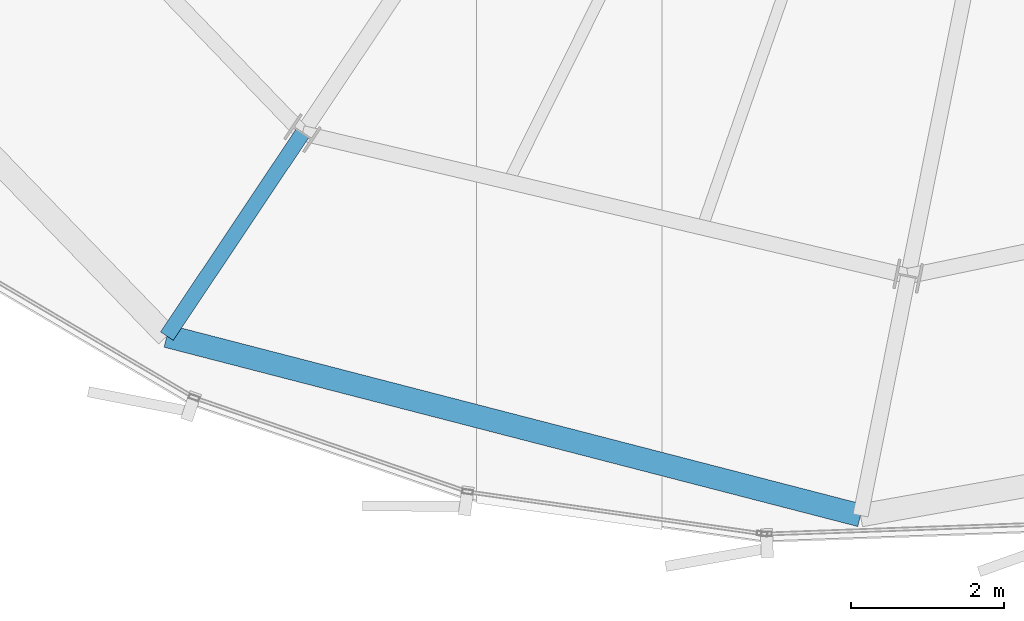
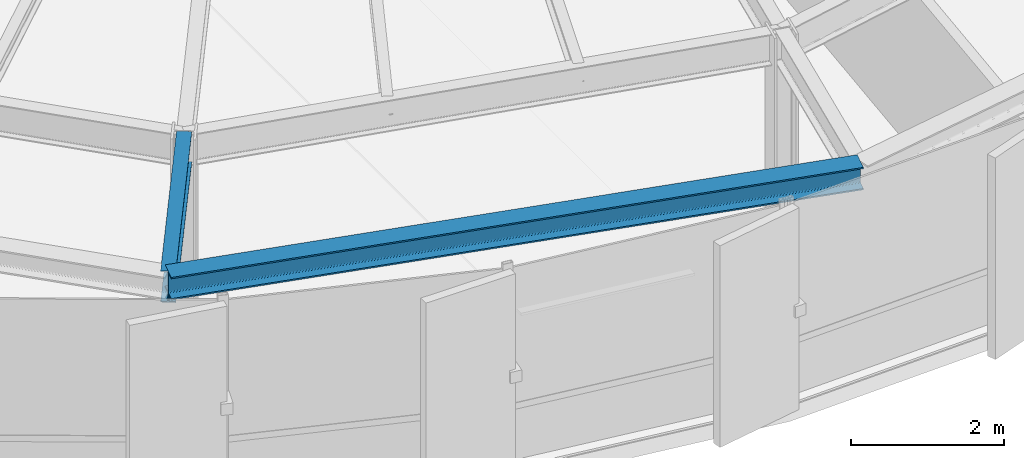
# One storey, part 3 of 37: 2 beams.
"""IFC4 building model written with IfcOpenShell, lengths in metres."""

from ifc_helpers import new_model, si_unit, direction, frame, origin, origin_2d, place, context, subcontext, project, spatial, i_section, extrude, source, transform, mapped, material, material_profile, profile_set, type_object, element, save


model = new_model("IFC4")

# Units and contexts
model_context = context("Model", 3, precision=1e-05, world=origin(), true_north=direction((0.0, 1.0)))
body_context = subcontext(model_context, "Body", "Model", "MODEL_VIEW")
ifc_project = project(units=[si_unit("LENGTHUNIT", "METRE"), si_unit("AREAUNIT", "SQUARE_METRE"), si_unit("VOLUMEUNIT", "CUBIC_METRE"), si_unit("PLANEANGLEUNIT", "RADIAN"), si_unit("MASSUNIT", "GRAM", prefix="KILO"), si_unit("THERMODYNAMICTEMPERATUREUNIT", "KELVIN")], contexts=[model_context])

# Site, building, storey
site_placement = place(None, origin())
site = spatial("IfcSite", under=ifc_project, at=site_placement, CompositionType="ELEMENT")
building_placement = place(site_placement, origin())
building = spatial("IfcBuilding", under=site, at=building_placement, Name="Kethvar Cultural Tower", CompositionType="ELEMENT")
storey_placement = place(building_placement, frame((0.0, 0.0, 200.89990234375)))
storey = spatial("IfcBuildingStorey", under=building, at=storey_placement, Name="L52", CompositionType="ELEMENT", Elevation=200.89990234375)

# Beams
ifc_material = material(Name="Steel S355J2", Category="steel")
ifc_material_profile_1 = material_profile(ifc_material, i_section(OverallWidth=0.199951171875, OverallDepth=0.5, WebThickness=0.01025390625, FlangeThickness=0.01611328125, FilletRadius=0.02099609375, at=origin_2d()), Name="Steel S355J2 — IPE500")
ifc_profile_set_1 = profile_set([ifc_material_profile_1], Name="Steel S355J2 — IPE500")
beam_type_1 = type_object("IfcBeamType", Name="BM-IPE500", PredefinedType="BEAM", material=ifc_profile_set_1)
shared_shape_1 = source(origin(), body_context, "Body", "SweptSolid", [
    extrude(i_section(OverallWidth=0.199951171875, OverallDepth=0.5, WebThickness=0.01025390625, FlangeThickness=0.01611328125, FilletRadius=0.02099609375, at=origin_2d()), origin(), (0.0, 0.0, 1.0), 3.199951171875),
])
beam_1_placement = place(storey_placement, frame((34.962646484375, 10.084228515625, 3.008056640625), z_axis=(-0.555580212716, -0.831462943996, 0.0), x_axis=(0.831462943996, -0.555580212716, 0.0)))
element("IfcBeam", 1, at=beam_1_placement, inside=storey, type_object=beam_type_1, Name="L52 Perimeter Cantilever Beam RC-11", PredefinedType="BEAM", context=body_context, shape_type="MappedRepresentation", body=[
    mapped(shared_shape_1, transform((0.0, 0.0, 0.0), scale=1.0)),
])
ifc_material_profile_2 = material_profile(ifc_material, i_section(OverallWidth=0.300048828125, OverallDepth=0.360107421875, WebThickness=0.012451171875, FlangeThickness=0.0224609375, FilletRadius=0.027099609375, at=origin_2d()), Name="Steel S355J2 — HEB360")
ifc_profile_set_2 = profile_set([ifc_material_profile_2], Name="Steel S355J2 — HEB360")
beam_type_2 = type_object("IfcBeamType", Name="BM-SP360", PredefinedType="SPANDREL", material=ifc_profile_set_2)
shared_shape_2 = source(origin(), body_context, "Body", "SweptSolid", [
    extrude(i_section(OverallWidth=0.300048828125, OverallDepth=0.360107421875, WebThickness=0.012451171875, FlangeThickness=0.0224609375, FilletRadius=0.027099609375, at=origin_2d()), origin(), (0.0, 0.0, 1.0), 9.3935546875),
])
beam_2_placement = place(storey_placement, frame((33.184814453125, 7.423583984375, 3.078125), z_axis=(0.968171347754, -0.250288316525, 0.0), x_axis=(0.250288316525, 0.968171347754, 0.0)))
element("IfcBeam", 2, at=beam_2_placement, inside=storey, type_object=beam_type_2, Name="L52 Perimeter Spandrel Beam SP-11", PredefinedType="SPANDREL", context=body_context, shape_type="MappedRepresentation", body=[
    mapped(shared_shape_2, transform((0.0, 0.0, 0.0), scale=1.0)),
])

save(model, "model.ifc")
